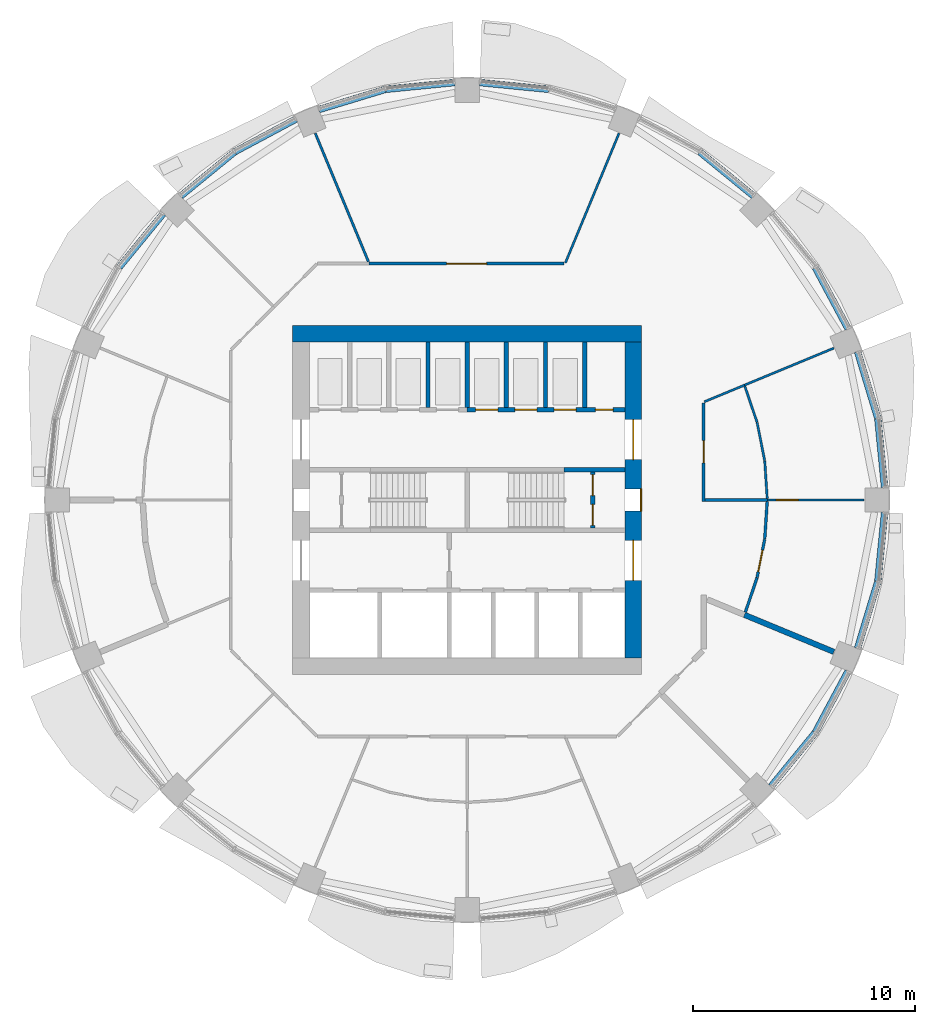
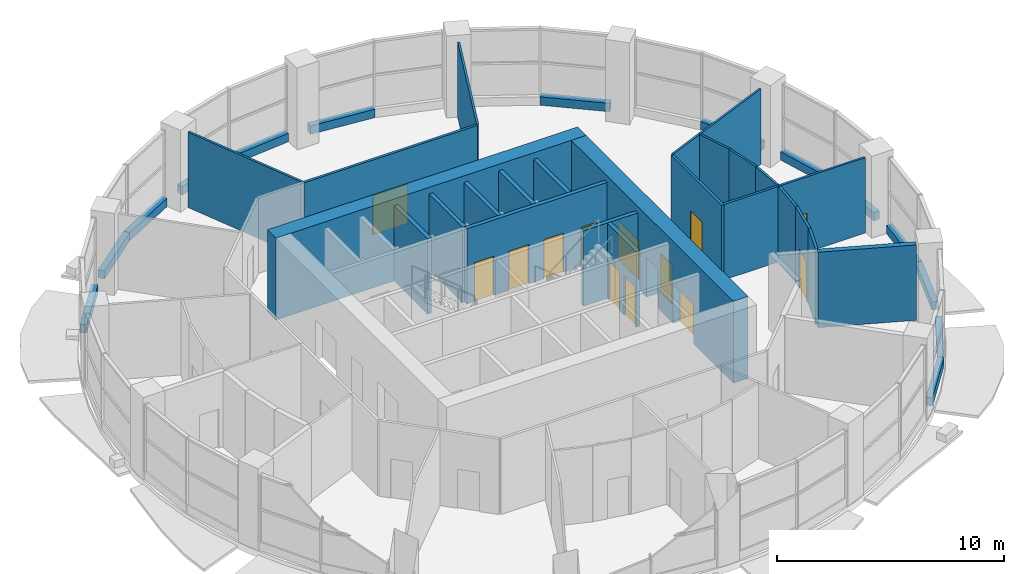
# One storey, part 8 of 13: 39 walls, 13 doors, 13 openings.
"""IFC4 building model written with IfcOpenShell, lengths in metres."""

from ifc_helpers import new_model, si_unit, direction, frame, frame_2d, origin, place, context, subcontext, project, spatial, rectangle, extrude, material, layer, layer_set, type_object, element, fill, save


model = new_model("IFC4")

# Units and contexts
model_context = context("Model", 3, precision=1e-05, world=origin(), true_north=direction((0.0, 1.0)))
body_context = subcontext(model_context, "Body", "Model", "MODEL_VIEW")
ifc_project = project(units=[si_unit("LENGTHUNIT", "METRE"), si_unit("AREAUNIT", "SQUARE_METRE"), si_unit("VOLUMEUNIT", "CUBIC_METRE"), si_unit("PLANEANGLEUNIT", "RADIAN"), si_unit("MASSUNIT", "GRAM", prefix="KILO")], contexts=[model_context])

# Site, building, storey
site_placement = place(None, origin())
site = spatial("IfcSite", under=ifc_project, at=site_placement, CompositionType="ELEMENT")
building_placement = place(site_placement, origin())
building = spatial("IfcBuilding", under=site, at=building_placement, Name="Polderwave Tower", CompositionType="ELEMENT")
storey_placement = place(building_placement, frame((0.0, 0.0, 116.550048828125)))
storey = spatial("IfcBuildingStorey", under=building, at=storey_placement, Name="L30", CompositionType="ELEMENT", Elevation=116.550048828125)

# Wall
ifc_material_1 = material(Name="Concrete C70/85", Category="concrete")
ifc_layer_1 = layer(ifc_material_1, 0.75)
ifc_layer_set_1 = layer_set([ifc_layer_1], Name="CORE WALL 750 C70/85")
wall_type_1 = type_object("IfcWallType", Name="CORE WALL 750 C70/85", PredefinedType="SHEAR", material=ifc_layer_set_1)
wall_1_placement = place(storey_placement, frame((-7.8740234375, 7.4990234375, 0.0), z_axis=(0.0, 0.0, 1.0), x_axis=(1.0, 0.0, 0.0)))
element("IfcWall", 1, at=wall_1_placement, inside=storey, type_object=wall_type_1, Name="ST-CORE-L30-N", PredefinedType="SHEAR", context=body_context, shape_type="SweptSolid", body=[
    extrude(rectangle(XDim=15.748046875, YDim=0.75, at=frame_2d((7.8740234375, 0.0))), origin(), (0.0, 0.0, 1.0), 4.39990234375),
])

# Wall, openings, doors
wall_2_placement = place(storey_placement, frame((7.4990234375, -7.1240234375, 0.0), z_axis=(0.0, 0.0, 1.0), x_axis=(0.0, 1.0, 0.0)))
wall_2 = element("IfcWall", 2, at=wall_2_placement, inside=storey, type_object=wall_type_1, Name="ST-CORE-L30-E", PredefinedType="SHEAR", context=body_context, shape_type="SweptSolid", body=[
    extrude(rectangle(XDim=14.248046875, YDim=0.75, at=frame_2d((7.1240234375, 0.0))), origin(), (0.0, 0.0, 1.0), 4.39990234375),
])
opening_1_placement = place(wall_2_placement, frame((6.6240234375, 0.0, 0.0)))
opening_1 = element("IfcOpeningElement", 3, at=opening_1_placement, cuts=wall_2, Name="Opening L30-D23", PredefinedType="OPENING", context=body_context, shape_type="SweptSolid", body=[
    extrude(rectangle(XDim=1.0, YDim=2.10009765625, at=frame_2d((0.5, 1.050048828125))), frame((0.0, 0.385009765625, 0.0), z_axis=(0.0, -1.0, 0.0), x_axis=(1.0, 0.0, 0.0)), (0.0, 0.0, 1.0), 0.77001953125),
])
opening_2_placement = place(wall_2_placement, frame((3.49951171875, 0.0, 0.0)))
opening_2 = element("IfcOpeningElement", 4, at=opening_2_placement, cuts=wall_2, Name="Opening L30-D24", PredefinedType="OPENING", context=body_context, shape_type="SweptSolid", body=[
    extrude(rectangle(XDim=1.800048828125, YDim=2.10009765625, at=frame_2d((0.89990234375, 1.050048828125))), frame((0.0, 0.385009765625, 0.0), z_axis=(0.0, -1.0, 0.0), x_axis=(1.0, 0.0, 0.0)), (0.0, 0.0, 1.0), 0.77001953125),
])
opening_3_placement = place(wall_2_placement, frame((8.948486328125, 0.0, 0.0)))
opening_3 = element("IfcOpeningElement", 5, at=opening_3_placement, cuts=wall_2, Name="Opening L30-D25", PredefinedType="OPENING", context=body_context, shape_type="SweptSolid", body=[
    extrude(rectangle(XDim=1.800048828125, YDim=2.10009765625, at=frame_2d((0.89990234375, 1.050048828125))), frame((0.0, 0.385009765625, 0.0), z_axis=(0.0, -1.0, 0.0), x_axis=(1.0, 0.0, 0.0)), (0.0, 0.0, 1.0), 0.77001953125),
])
ifc_material_2 = material(Name="Steel fire door", Category="steel")
door_type_1 = type_object("IfcDoorType", Name="Lobby entry door pair 1800", OperationType="DOUBLE_DOOR_SINGLE_SWING", PredefinedType="DOOR", material=ifc_material_2)
door_1_placement = place(opening_2_placement, frame((1.800048828125, 0.0, 0.0), z_axis=(0.0, 0.0, 1.0), x_axis=(-1.0, 0.0, 0.0)))
door_1 = element("IfcDoor", 6, at=door_1_placement, inside=storey, type_object=door_type_1, Name="South lobby entry door", OperationType="DOUBLE_DOOR_SINGLE_SWING", OverallHeight=2.10009765625, OverallWidth=1.800048828125, PredefinedType="DOOR", context=body_context, shape_type="SweptSolid", body=[
    extrude(rectangle(XDim=1.800048828125, YDim=2.10009765625, at=frame_2d((0.89990234375, 1.050048828125))), frame((0.0, 0.02490234375, 0.0), z_axis=(0.0, -1.0, 0.0), x_axis=(1.0, 0.0, 0.0)), (0.0, 0.0, 1.0), 0.050048828125),
])
fill(opening_2, door_1)
door_2_placement = place(opening_3_placement, frame((1.800048828125, 0.0, 0.0), z_axis=(0.0, 0.0, 1.0), x_axis=(-1.0, 0.0, 0.0)))
door_2 = element("IfcDoor", 7, at=door_2_placement, inside=storey, type_object=door_type_1, Name="North lobby entry door", OperationType="DOUBLE_DOOR_SINGLE_SWING", OverallHeight=2.10009765625, OverallWidth=1.800048828125, PredefinedType="DOOR", context=body_context, shape_type="SweptSolid", body=[
    extrude(rectangle(XDim=1.800048828125, YDim=2.10009765625, at=frame_2d((0.89990234375, 1.050048828125))), frame((0.0, 0.02490234375, 0.0), z_axis=(0.0, -1.0, 0.0), x_axis=(1.0, 0.0, 0.0)), (0.0, 0.0, 1.0), 0.050048828125),
])
fill(opening_3, door_2)
door_type_2 = type_object("IfcDoorType", Name="Stair door 1000", OperationType="NOTDEFINED", PredefinedType="DOOR", material=ifc_material_2)
door_3_placement = place(opening_1_placement, frame((1.0, 0.0, 0.0), z_axis=(0.0, 0.0, 1.0), x_axis=(-1.0, 0.0, 0.0)))
door_3 = element("IfcDoor", 8, at=door_3_placement, inside=storey, type_object=door_type_2, Name="Stair B entry door", OperationType="SINGLE_SWING_LEFT", OverallHeight=2.10009765625, OverallWidth=1.0, PredefinedType="DOOR", context=body_context, shape_type="SweptSolid", body=[
    extrude(rectangle(XDim=1.0, YDim=2.10009765625, at=frame_2d((0.5, 1.050048828125))), frame((0.0, 0.375, 0.0), z_axis=(0.0, -1.0, 0.0), x_axis=(1.0, 0.0, 0.0)), (0.0, 0.0, 1.0), 0.050048828125),
])
fill(opening_1, door_3)

# Walls
ifc_material_3 = material(Name="Concrete C50/60 (board-marked)", Category="concrete")
ifc_layer_2 = layer(ifc_material_3, 0.300048828125)
ifc_layer_set_2 = layer_set([ifc_layer_2], Name="Concrete spandrel upstand C50/60")
wall_type_2 = type_object("IfcWallType", Name="Concrete spandrel upstand C50/60", PredefinedType="SOLIDWALL", material=ifc_layer_set_2)
wall_3_placement = place(storey_placement, frame((18.844482421875, 0.56396484375, 0.0), z_axis=(0.0, 0.0, 1.0), x_axis=(-0.097947922522, 0.995191541601, 0.0)))
element("IfcWall", 9, at=wall_3_placement, inside=storey, type_object=wall_type_2, Name="Spandrel L30 1a", PredefinedType="SOLIDWALL", context=body_context, shape_type="SweptSolid", body=[
    extrude(rectangle(XDim=3.123291015625, YDim=0.300048828125, at=frame_2d((1.5615234375, 0.0))), origin(), (0.0, 0.0, 1.0), 0.449951171875),
])
wall_4_placement = place(storey_placement, frame((18.53271484375, 3.701416015625, 0.0), z_axis=(0.0, 0.0, 1.0), x_axis=(-0.290415156078, 0.956900745699, 0.0)))
element("IfcWall", 10, at=wall_4_placement, inside=storey, type_object=wall_type_2, Name="Spandrel L30 1b", PredefinedType="SOLIDWALL", context=body_context, shape_type="SweptSolid", body=[
    extrude(rectangle(XDim=3.123779296875, YDim=0.300048828125, at=frame_2d((1.56201171875, 0.0))), origin(), (0.0, 0.0, 1.0), 0.449951171875),
])
for number, where, z_axis, x_axis, name in (
    (11, (17.19384765625, 7.732177734375, 0.0), (0.0, 0.0, 1.0), (-0.471464266524, 0.881885165648, 0.0), "Spandrel L30 2a"),
    (12, (12.926513671875, 13.723388671875, 0.0), (0.0, 0.0, 1.0), (-0.773099904946, 0.634284271422, 0.0), "Spandrel L30 3a"),
):
    element("IfcWall", number, at=place(storey_placement, frame(where, z_axis=z_axis, x_axis=x_axis)), inside=storey, type_object=wall_type_2, Name=name, PredefinedType="SOLIDWALL", context=body_context, shape_type="SweptSolid", body=[
        extrude(rectangle(XDim=3.12353515625, YDim=0.300048828125, at=frame_2d((1.561767578125, 0.0))), origin(), (0.0, 0.0, 1.0), 0.449951171875),
    ])
for number, where, z_axis, x_axis, name in (
    (13, (3.672119140625, 18.53857421875, 0.0), (0.0, 0.0, 1.0), (-0.995191541601, 0.097947922522, 0.0), "Spandrel L30 4b"),
    (14, (-0.56396484375, 18.844482421875, 0.0), (0.0, 0.0, 1.0), (-0.995191541601, -0.097947922522, 0.0), "Spandrel L30 5a"),
):
    element("IfcWall", number, at=place(storey_placement, frame(where, z_axis=z_axis, x_axis=x_axis)), inside=storey, type_object=wall_type_2, Name=name, PredefinedType="SOLIDWALL", context=body_context, shape_type="SweptSolid", body=[
        extrude(rectangle(XDim=3.123291015625, YDim=0.300048828125, at=frame_2d((1.5615234375, 0.0))), origin(), (0.0, 0.0, 1.0), 0.449951171875),
    ])
wall_5_placement = place(storey_placement, frame((-3.701416015625, 18.53271484375, 0.0), z_axis=(0.0, 0.0, 1.0), x_axis=(-0.956900745699, -0.290415156078, 0.0)))
element("IfcWall", 15, at=wall_5_placement, inside=storey, type_object=wall_type_2, Name="Spandrel L30 5b", PredefinedType="SOLIDWALL", context=body_context, shape_type="SweptSolid", body=[
    extrude(rectangle(XDim=3.123779296875, YDim=0.300048828125, at=frame_2d((1.56201171875, 0.0))), origin(), (0.0, 0.0, 1.0), 0.449951171875),
])
for number, where, z_axis, x_axis, name in (
    (16, (-7.732177734375, 17.19384765625, 0.0), (0.0, 0.0, 1.0), (-0.881885165648, -0.471464266524, 0.0), "Spandrel L30 6a"),
    (17, (-10.51171875, 15.70458984375, 0.0), (0.0, 0.0, 1.0), (-0.773099904946, -0.634284271422, 0.0), "Spandrel L30 6b"),
    (18, (-13.723388671875, 12.926513671875, 0.0), (0.0, 0.0, 1.0), (-0.634284271422, -0.773099904946, 0.0), "Spandrel L30 7a"),
    (19, (13.723388671875, -12.926513671875, 0.0), (0.0, 0.0, 1.0), (0.634284271422, 0.773099904946, 0.0), "Spandrel L30 15a"),
    (20, (15.72119140625, -10.48681640625, 0.0), (0.0, 0.0, 1.0), (0.471464266524, 0.881885165648, 0.0), "Spandrel L30 15b"),
):
    element("IfcWall", number, at=place(storey_placement, frame(where, z_axis=z_axis, x_axis=x_axis)), inside=storey, type_object=wall_type_2, Name=name, PredefinedType="SOLIDWALL", context=body_context, shape_type="SweptSolid", body=[
        extrude(rectangle(XDim=3.12353515625, YDim=0.300048828125, at=frame_2d((1.561767578125, 0.0))), origin(), (0.0, 0.0, 1.0), 0.449951171875),
    ])
wall_6_placement = place(storey_placement, frame((17.62548828125, -6.690673828125, 0.0), z_axis=(0.0, 0.0, 1.0), x_axis=(0.290415156078, 0.956900745699, 0.0)))
element("IfcWall", 21, at=wall_6_placement, inside=storey, type_object=wall_type_2, Name="Spandrel L30 16a", PredefinedType="SOLIDWALL", context=body_context, shape_type="SweptSolid", body=[
    extrude(rectangle(XDim=3.123779296875, YDim=0.300048828125, at=frame_2d((1.56201171875, 0.0))), origin(), (0.0, 0.0, 1.0), 0.449951171875),
])
wall_7_placement = place(storey_placement, frame((18.53857421875, -3.672119140625, 0.0), z_axis=(0.0, 0.0, 1.0), x_axis=(0.097947922522, 0.995191541601, 0.0)))
element("IfcWall", 22, at=wall_7_placement, inside=storey, type_object=wall_type_2, Name="Spandrel L30 16b", PredefinedType="SOLIDWALL", context=body_context, shape_type="SweptSolid", body=[
    extrude(rectangle(XDim=3.123291015625, YDim=0.300048828125, at=frame_2d((1.5615234375, 0.0))), origin(), (0.0, 0.0, 1.0), 0.449951171875),
])

# Wall, openings, doors
ifc_material_4 = material(Name="Gypsum board partition")
ifc_layer_3 = layer(ifc_material_4, 0.199951171875)
ifc_layer_set_3 = layer_set([ifc_layer_3], Name="Core room partition 200")
wall_type_3 = type_object("IfcWallType", Name="Core room partition 200", PredefinedType="PARTITIONING", material=ifc_layer_set_3)
wall_8_placement = place(storey_placement, frame((5.674072265625, -1.27490234375, 0.0), z_axis=(0.0, 0.0, 1.0), x_axis=(0.0, 1.0, 0.0)))
wall_8 = element("IfcWall", 23, at=wall_8_placement, inside=storey, type_object=wall_type_3, Name="L30 smoke lobby wall B", PredefinedType="PARTITIONING", context=body_context, shape_type="SweptSolid", body=[
    extrude(rectangle(XDim=2.5498046875, YDim=0.199951171875, at=frame_2d((1.27490234375, 0.0))), origin(), (0.0, 0.0, 1.0), 4.050048828125),
])
opening_4_placement = place(wall_8_placement, frame((0.125, 0.0, 0.0)))
opening_4 = element("IfcOpeningElement", 24, at=opening_4_placement, cuts=wall_8, Name="Opening L30-D16", PredefinedType="OPENING", context=body_context, shape_type="SweptSolid", body=[
    extrude(rectangle(XDim=0.949951171875, YDim=2.10009765625, at=frame_2d((0.47509765625, 1.050048828125))), frame((0.0, 0.10986328125, 0.0), z_axis=(0.0, -1.0, 0.0), x_axis=(1.0, 0.0, 0.0)), (0.0, 0.0, 1.0), 0.219970703125),
])
opening_5_placement = place(wall_8_placement, frame((1.47509765625, 0.0, 0.0)))
opening_5 = element("IfcOpeningElement", 25, at=opening_5_placement, cuts=wall_8, Name="Opening L30-D17", PredefinedType="OPENING", context=body_context, shape_type="SweptSolid", body=[
    extrude(rectangle(XDim=0.949951171875, YDim=2.10009765625, at=frame_2d((0.47509765625, 1.050048828125))), frame((0.0, 0.10986328125, 0.0), z_axis=(0.0, -1.0, 0.0), x_axis=(1.0, 0.0, 0.0)), (0.0, 0.0, 1.0), 0.219970703125),
])
door_type_3 = type_object("IfcDoorType", Name="Smoke lobby door 950", OperationType="NOTDEFINED", PredefinedType="DOOR", material=ifc_material_2)
door_4_placement = place(opening_4_placement, frame((0.949951171875, 0.0, 0.0), z_axis=(0.0, 0.0, 1.0), x_axis=(-1.0, 0.0, 0.0)))
door_4 = element("IfcDoor", 26, at=door_4_placement, inside=storey, type_object=door_type_3, Name="Stair B smoke lobby inner door", OperationType="SINGLE_SWING_RIGHT", OverallHeight=2.10009765625, OverallWidth=0.949951171875, PredefinedType="DOOR", context=body_context, shape_type="SweptSolid", body=[
    extrude(rectangle(XDim=0.949951171875, YDim=2.10009765625, at=frame_2d((0.47509765625, 1.050048828125))), frame((0.0, 0.02490234375, 0.0), z_axis=(0.0, -1.0, 0.0), x_axis=(1.0, 0.0, 0.0)), (0.0, 0.0, 1.0), 0.050048828125),
])
fill(opening_4, door_4)
door_5_placement = place(opening_5_placement, frame((0.949951171875, 0.0, 0.0), z_axis=(0.0, 0.0, 1.0), x_axis=(-1.0, 0.0, 0.0)))
door_5 = element("IfcDoor", 27, at=door_5_placement, inside=storey, type_object=door_type_3, Name="Stair B smoke lobby inner door", OperationType="SINGLE_SWING_LEFT", OverallHeight=2.10009765625, OverallWidth=0.949951171875, PredefinedType="DOOR", context=body_context, shape_type="SweptSolid", body=[
    extrude(rectangle(XDim=0.949951171875, YDim=2.10009765625, at=frame_2d((0.47509765625, 1.050048828125))), frame((0.0, 0.02490234375, 0.0), z_axis=(0.0, -1.0, 0.0), x_axis=(1.0, 0.0, 0.0)), (0.0, 0.0, 1.0), 0.050048828125),
])
fill(opening_5, door_5)

ifc_material_5 = material(Name="Concrete C50/60", Category="concrete")
ifc_layer_4 = layer(ifc_material_5, 0.199951171875)
ifc_layer_set_4 = layer_set([ifc_layer_4], Name="Core web wall 200")
wall_type_4 = type_object("IfcWallType", Name="Core web wall 200", PredefinedType="SHEAR", material=ifc_layer_set_4)
wall_9_placement = place(storey_placement, frame((0.0, 4.073974609375, 0.0), z_axis=(0.0, 0.0, 1.0), x_axis=(1.0, 0.0, 0.0)))
wall_9 = element("IfcWall", 28, at=wall_9_placement, inside=storey, type_object=wall_type_4, Name="L30 north front wall 2", PredefinedType="SHEAR", context=body_context, shape_type="SweptSolid", body=[
    extrude(rectangle(XDim=7.1240234375, YDim=0.199951171875, at=frame_2d((3.56201171875, 0.0))), origin(), (0.0, 0.0, 1.0), 4.050048828125),
])
opening_6_placement = place(wall_9_placement, frame((0.38427734375, 0.0, 0.0)))
opening_6 = element("IfcOpeningElement", 29, at=opening_6_placement, cuts=wall_9, Name="Opening L30-D11", PredefinedType="OPENING", context=body_context, shape_type="SweptSolid", body=[
    extrude(rectangle(XDim=1.0, YDim=2.10009765625, at=frame_2d((0.5, 1.050048828125))), frame((0.0, 0.10986328125, 0.0), z_axis=(0.0, -1.0, 0.0), x_axis=(1.0, 0.0, 0.0)), (0.0, 0.0, 1.0), 0.219970703125),
])
opening_7_placement = place(wall_9_placement, frame((2.15283203125, 0.0, 0.0)))
opening_7 = element("IfcOpeningElement", 30, at=opening_7_placement, cuts=wall_9, Name="Opening L30-D12", PredefinedType="OPENING", context=body_context, shape_type="SweptSolid", body=[
    extrude(rectangle(XDim=1.0, YDim=2.10009765625, at=frame_2d((0.5, 1.050048828125))), frame((0.0, 0.10986328125, 0.0), z_axis=(0.0, -1.0, 0.0), x_axis=(1.0, 0.0, 0.0)), (0.0, 0.0, 1.0), 0.219970703125),
])
opening_8_placement = place(wall_9_placement, frame((3.921142578125, 0.0, 0.0)))
opening_8 = element("IfcOpeningElement", 31, at=opening_8_placement, cuts=wall_9, Name="Opening L30-D13", PredefinedType="OPENING", context=body_context, shape_type="SweptSolid", body=[
    extrude(rectangle(XDim=1.0, YDim=2.10009765625, at=frame_2d((0.5, 1.050048828125))), frame((0.0, 0.10986328125, 0.0), z_axis=(0.0, -1.0, 0.0), x_axis=(1.0, 0.0, 0.0)), (0.0, 0.0, 1.0), 0.219970703125),
])
opening_9_placement = place(wall_9_placement, frame((5.789794921875, 0.0, 0.0)))
opening_9 = element("IfcOpeningElement", 32, at=opening_9_placement, cuts=wall_9, Name="Opening L30-D19", PredefinedType="OPENING", context=body_context, shape_type="SweptSolid", body=[
    extrude(rectangle(XDim=0.800048828125, YDim=2.10009765625, at=frame_2d((0.39990234375, 1.050048828125))), frame((0.0, 0.10986328125, 0.0), z_axis=(0.0, -1.0, 0.0), x_axis=(1.0, 0.0, 0.0)), (0.0, 0.0, 1.0), 0.219970703125),
])
ifc_material_6 = material(Name="Stainless steel", Category="steel")
door_type_4 = type_object("IfcDoorType", Name="Lift landing door 1000", OperationType="DOUBLE_DOOR_SLIDING", PredefinedType="DOOR", material=ifc_material_6)
door_6_placement = place(opening_6_placement, frame((1.0, 0.0, 0.0), z_axis=(0.0, 0.0, 1.0), x_axis=(-1.0, 0.0, 0.0)))
door_6 = element("IfcDoor", 33, at=door_6_placement, inside=storey, type_object=door_type_4, Name="Lift HL5 landing door", OperationType="DOUBLE_DOOR_SLIDING", OverallHeight=2.10009765625, OverallWidth=1.0, PredefinedType="DOOR", context=body_context, shape_type="SweptSolid", body=[
    extrude(rectangle(XDim=1.0, YDim=2.10009765625, at=frame_2d((0.5, 1.050048828125))), frame((0.0, 0.02490234375, 0.0), z_axis=(0.0, -1.0, 0.0), x_axis=(1.0, 0.0, 0.0)), (0.0, 0.0, 1.0), 0.050048828125),
])
fill(opening_6, door_6)
door_7_placement = place(opening_7_placement, frame((1.0, 0.0, 0.0), z_axis=(0.0, 0.0, 1.0), x_axis=(-1.0, 0.0, 0.0)))
door_7 = element("IfcDoor", 34, at=door_7_placement, inside=storey, type_object=door_type_4, Name="Lift HL6 landing door", OperationType="DOUBLE_DOOR_SLIDING", OverallHeight=2.10009765625, OverallWidth=1.0, PredefinedType="DOOR", context=body_context, shape_type="SweptSolid", body=[
    extrude(rectangle(XDim=1.0, YDim=2.10009765625, at=frame_2d((0.5, 1.050048828125))), frame((0.0, 0.02490234375, 0.0), z_axis=(0.0, -1.0, 0.0), x_axis=(1.0, 0.0, 0.0)), (0.0, 0.0, 1.0), 0.050048828125),
])
fill(opening_7, door_7)
door_8_placement = place(opening_8_placement, frame((1.0, 0.0, 0.0), z_axis=(0.0, 0.0, 1.0), x_axis=(-1.0, 0.0, 0.0)))
door_8 = element("IfcDoor", 35, at=door_8_placement, inside=storey, type_object=door_type_4, Name="Lift HL7 landing door", OperationType="DOUBLE_DOOR_SLIDING", OverallHeight=2.10009765625, OverallWidth=1.0, PredefinedType="DOOR", context=body_context, shape_type="SweptSolid", body=[
    extrude(rectangle(XDim=1.0, YDim=2.10009765625, at=frame_2d((0.5, 1.050048828125))), frame((0.0, 0.02490234375, 0.0), z_axis=(0.0, -1.0, 0.0), x_axis=(1.0, 0.0, 0.0)), (0.0, 0.0, 1.0), 0.050048828125),
])
fill(opening_8, door_8)
door_type_5 = type_object("IfcDoorType", Name="Riser door 800", OperationType="NOTDEFINED", PredefinedType="DOOR", material=ifc_material_2)
door_9_placement = place(opening_9_placement, frame((0.800048828125, 0.0, 0.0), z_axis=(0.0, 0.0, 1.0), x_axis=(-1.0, 0.0, 0.0)))
door_9 = element("IfcDoor", 36, at=door_9_placement, inside=storey, type_object=door_type_5, Name="Riser door", OperationType="SINGLE_SWING_LEFT", OverallHeight=2.10009765625, OverallWidth=0.800048828125, PredefinedType="DOOR", context=body_context, shape_type="SweptSolid", body=[
    extrude(rectangle(XDim=0.800048828125, YDim=2.10009765625, at=frame_2d((0.39990234375, 1.050048828125))), frame((0.0, 0.02490234375, 0.0), z_axis=(0.0, -1.0, 0.0), x_axis=(1.0, 0.0, 0.0)), (0.0, 0.0, 1.0), 0.050048828125),
])
fill(opening_9, door_9)

# Wall
wall_10_placement = place(storey_placement, frame((4.3740234375, 1.375, 0.0), z_axis=(0.0, 0.0, 1.0), x_axis=(1.0, 0.0, 0.0)))
element("IfcWall", 37, at=wall_10_placement, inside=storey, type_object=wall_type_4, Name="L30 north stair wall 4", PredefinedType="SHEAR", context=body_context, shape_type="SweptSolid", body=[
    extrude(rectangle(XDim=2.75, YDim=0.199951171875, at=frame_2d((1.375, 0.0))), origin(), (0.0, 0.0, 1.0), 4.050048828125),
])

# Wall, opening, door
ifc_material_7 = material(Name="Fire-resisting board on steel studs", Category="steel")
ifc_layer_5 = layer(ifc_material_7, 0.125)
ifc_layer_set_5 = layer_set([ifc_layer_5], Name="Corridor wall 125 mm EI 60")
wall_type_5 = type_object("IfcWallType", Name="Corridor wall 125 mm EI 60", PredefinedType="PARTITIONING", material=ifc_layer_set_5)
wall_11_placement = place(storey_placement, frame((10.674072265625, 4.37939453125, 0.0), z_axis=(0.0, 0.0, 1.0), x_axis=(0.0, -1.0, 0.0)))
wall_11 = element("IfcWall", 38, at=wall_11_placement, inside=storey, type_object=wall_type_5, Name="IN-L30-W001", PredefinedType="PARTITIONING", context=body_context, shape_type="SweptSolid", body=[
    extrude(rectangle(XDim=4.44189453125, YDim=0.125, at=frame_2d((2.220947265625, 0.0))), origin(), (0.0, 0.0, 1.0), 4.050048828125),
])
opening_10_placement = place(wall_11_placement, frame((1.699951171875, 0.0, 0.0)))
opening_10 = element("IfcOpeningElement", 39, at=opening_10_placement, cuts=wall_11, Name="Opening L30-D50", PredefinedType="OPENING", context=body_context, shape_type="SweptSolid", body=[
    extrude(rectangle(XDim=1.0, YDim=2.10009765625, at=frame_2d((0.5, 1.050048828125))), frame((0.0, 0.072509765625, 0.0), z_axis=(0.0, -1.0, 0.0), x_axis=(1.0, 0.0, 0.0)), (0.0, 0.0, 1.0), 0.14501953125),
])
ifc_material_8 = material(Name="Timber fire door leaf", Category="wood")
door_type_6 = type_object("IfcDoorType", Name="Fire door FD30S 1000 x 2100", OperationType="NOTDEFINED", PredefinedType="DOOR", material=ifc_material_8)
door_10_placement = place(opening_10_placement, origin())
door_10 = element("IfcDoor", 40, at=door_10_placement, inside=storey, type_object=door_type_6, Name="Door L30-D50", OperationType="SINGLE_SWING_LEFT", OverallHeight=2.10009765625, OverallWidth=1.0, PredefinedType="DOOR", context=body_context, shape_type="SweptSolid", body=[
    extrude(rectangle(XDim=1.0, YDim=2.10009765625, at=frame_2d((0.5, 1.050048828125))), frame((0.0, 0.02490234375, 0.0), z_axis=(0.0, -1.0, 0.0), x_axis=(1.0, 0.0, 0.0)), (0.0, 0.0, 1.0), 0.050048828125),
])
fill(opening_10, door_10)

wall_12_placement = place(storey_placement, frame((-4.42138671875, 10.674072265625, 0.0), z_axis=(0.0, 0.0, 1.0), x_axis=(1.0, 0.0, 0.0)))
wall_12 = element("IfcWall", 41, at=wall_12_placement, inside=storey, type_object=wall_type_5, Name="IN-L30-W004", PredefinedType="PARTITIONING", context=body_context, shape_type="SweptSolid", body=[
    extrude(rectangle(XDim=8.80078125, YDim=0.125, at=frame_2d((4.400390625, 0.0))), origin(), (0.0, 0.0, 1.0), 4.050048828125),
])
opening_11_placement = place(wall_12_placement, frame((3.5, 0.0, 0.0)))
opening_11 = element("IfcOpeningElement", 42, at=opening_11_placement, cuts=wall_12, Name="Opening L30-D52", PredefinedType="OPENING", context=body_context, shape_type="SweptSolid", body=[
    extrude(rectangle(XDim=1.800048828125, YDim=2.10009765625, at=frame_2d((0.89990234375, 1.050048828125))), frame((0.0, 0.072509765625, 0.0), z_axis=(0.0, -1.0, 0.0), x_axis=(1.0, 0.0, 0.0)), (0.0, 0.0, 1.0), 0.14501953125),
])
ifc_material_9 = material(Name="Timber fire door leaves", Category="wood")
door_type_7 = type_object("IfcDoorType", Name="Double fire door FD30S 1800 x 2100", OperationType="NOTDEFINED", PredefinedType="DOOR", material=ifc_material_9)
door_11_placement = place(opening_11_placement, origin())
door_11 = element("IfcDoor", 43, at=door_11_placement, inside=storey, type_object=door_type_7, Name="Door L30-D52", OperationType="DOUBLE_DOOR_SINGLE_SWING", OverallHeight=2.10009765625, OverallWidth=1.800048828125, PredefinedType="DOOR", context=body_context, shape_type="SweptSolid", body=[
    extrude(rectangle(XDim=1.800048828125, YDim=2.10009765625, at=frame_2d((0.89990234375, 1.050048828125))), frame((0.0, 0.02490234375, 0.0), z_axis=(0.0, -1.0, 0.0), x_axis=(1.0, 0.0, 0.0)), (0.0, 0.0, 1.0), 0.050048828125),
])
fill(opening_11, door_11)

# Walls
wall_13_placement = place(storey_placement, frame((13.550048828125, 0.0, 0.0), z_axis=(0.0, 0.0, 1.0), x_axis=(-1.0, 0.0, 0.0)))
element("IfcWall", 44, at=wall_13_placement, inside=storey, type_object=wall_type_5, Name="IN-L30-W023", PredefinedType="PARTITIONING", context=body_context, shape_type="SweptSolid", body=[
    extrude(rectangle(XDim=2.8134765625, YDim=0.125, at=frame_2d((1.40673828125, 0.0))), origin(), (0.0, 0.0, 1.0), 4.050048828125),
])
wall_14_placement = place(storey_placement, frame((13.0869140625, -3.510986328125, 0.0), z_axis=(0.0, 0.0, 1.0), x_axis=(-0.32131781405, -0.946971415817, 0.0)))
element("IfcWall", 45, at=wall_14_placement, inside=storey, type_object=wall_type_5, Name="IN-L30-W057", PredefinedType="PARTITIONING", context=body_context, shape_type="SweptSolid", body=[
    extrude(rectangle(XDim=1.638916015625, YDim=0.125, at=frame_2d((0.8193359375, 0.0))), origin(), (0.0, 0.0, 1.0), 4.050048828125),
])

# Wall, opening, door
wall_15_placement = place(storey_placement, frame((13.433349609375, -1.772705078125, 0.0), z_axis=(0.0, 0.0, 1.0), x_axis=(-0.195131330955, -0.980777122327, 0.0)))
wall_15 = element("IfcWall", 46, at=wall_15_placement, inside=storey, type_object=wall_type_5, Name="IN-L30-W058", PredefinedType="PARTITIONING", context=body_context, shape_type="SweptSolid", body=[
    extrude(rectangle(XDim=1.76416015625, YDim=0.125, at=frame_2d((0.882080078125, 0.0))), origin(), (0.0, 0.0, 1.0), 4.050048828125),
])
opening_12_placement = place(wall_15_placement, frame((0.5, 0.0, 0.0)))
opening_12 = element("IfcOpeningElement", 47, at=opening_12_placement, cuts=wall_15, Name="Opening L30-D67", PredefinedType="OPENING", context=body_context, shape_type="SweptSolid", body=[
    extrude(rectangle(XDim=1.0, YDim=2.10009765625, at=frame_2d((0.5, 1.050048828125))), frame((0.0, 0.072509765625, 0.0), z_axis=(0.0, -1.0, 0.0), x_axis=(1.0, 0.0, 0.0)), (0.0, 0.0, 1.0), 0.14501953125),
])
door_12_placement = place(opening_12_placement, origin())
door_12 = element("IfcDoor", 48, at=door_12_placement, inside=storey, type_object=door_type_6, Name="Door L30-D67", OperationType="SINGLE_SWING_RIGHT", OverallHeight=2.10009765625, OverallWidth=1.0, PredefinedType="DOOR", context=body_context, shape_type="SweptSolid", body=[
    extrude(rectangle(XDim=1.0, YDim=2.10009765625, at=frame_2d((0.5, 1.050048828125))), frame((0.0, 0.02490234375, 0.0), z_axis=(0.0, -1.0, 0.0), x_axis=(1.0, 0.0, 0.0)), (0.0, 0.0, 1.0), 0.050048828125),
])
fill(opening_12, door_12)

# Walls
wall_16_placement = place(storey_placement, frame((13.545654296875, -0.066650390625, 0.0), z_axis=(0.0, 0.0, 1.0), x_axis=(-0.065433242561, -0.99785694905, 0.0)))
element("IfcWall", 49, at=wall_16_placement, inside=storey, type_object=wall_type_5, Name="IN-L30-W059", PredefinedType="PARTITIONING", context=body_context, shape_type="SweptSolid", body=[
    extrude(rectangle(XDim=1.701416015625, YDim=0.125, at=frame_2d((0.8505859375, 0.0))), origin(), (0.0, 0.0, 1.0), 4.050048828125),
])
ifc_material_10 = material(Name="Plasterboard on steel studs", Category="steel")
ifc_layer_6 = layer(ifc_material_10, 0.10009765625)
ifc_layer_set_6 = layer_set([ifc_layer_6], Name="Partition 100 mm plasterboard on steel studs")
wall_type_6 = type_object("IfcWallType", Name="Partition 100 mm plasterboard on steel studs", PredefinedType="PARTITIONING", material=ifc_layer_set_6)
wall_17_placement = place(storey_placement, frame((10.704833984375, 4.43408203125, 0.0), z_axis=(0.0, 0.0, 1.0), x_axis=(0.923887998679, 0.382662992588, 0.0)))
element("IfcWall", 50, at=wall_17_placement, inside=storey, type_object=wall_type_6, Name="IN-L30-W022", PredefinedType="PARTITIONING", context=body_context, shape_type="SweptSolid", body=[
    extrude(rectangle(XDim=1.963134765625, YDim=0.10009765625, at=frame_2d((0.9814453125, 0.0))), origin(), (0.0, 0.0, 1.0), 4.050048828125),
])
wall_18_placement = place(storey_placement, frame((12.5185546875, 5.185302734375, 0.0), z_axis=(0.0, 0.0, 1.0), x_axis=(0.923876563374, 0.382690600418, 0.0)))
element("IfcWall", 51, at=wall_18_placement, inside=storey, type_object=wall_type_6, Name="IN-L30-W024", PredefinedType="PARTITIONING", context=body_context, shape_type="SweptSolid", body=[
    extrude(rectangle(XDim=4.3701171875, YDim=0.10009765625, at=frame_2d((2.18505859375, 0.0))), origin(), (0.0, 0.0, 1.0), 4.050048828125),
])
wall_19_placement = place(storey_placement, frame((4.43408203125, 10.704833984375, 0.0), z_axis=(0.0, 0.0, 1.0), x_axis=(0.38268204263, 0.923880108157, 0.0)))
element("IfcWall", 52, at=wall_19_placement, inside=storey, type_object=wall_type_6, Name="IN-L30-W026", PredefinedType="PARTITIONING", context=body_context, shape_type="SweptSolid", body=[
    extrude(rectangle(XDim=6.333251953125, YDim=0.10009765625, at=frame_2d((3.16650390625, 0.0))), origin(), (0.0, 0.0, 1.0), 4.050048828125),
])
ifc_material_11 = material(Name="Moisture-resistant board on steel studs, tiled", Category="steel")
ifc_layer_7 = layer(ifc_material_11, 0.10498046875)
ifc_layer_set_7 = layer_set([ifc_layer_7], Name="Partition 105 mm wet room board and tile")
wall_type_7 = type_object("IfcWallType", Name="Partition 105 mm wet room board and tile", PredefinedType="PARTITIONING", material=ifc_layer_set_7)
wall_20_placement = place(storey_placement, frame((12.535888671875, 5.134765625, 0.0), z_axis=(0.0, 0.0, 1.0), x_axis=(0.321346482032, -0.946961687971, 0.0)))
element("IfcWall", 53, at=wall_20_placement, inside=storey, type_object=wall_type_7, Name="IN-L30-W019", PredefinedType="PARTITIONING", context=body_context, shape_type="SweptSolid", body=[
    extrude(rectangle(XDim=1.715576171875, YDim=0.10498046875, at=frame_2d((0.85791015625, 0.0))), origin(), (0.0, 0.0, 1.0), 4.050048828125),
])
wall_21_placement = place(storey_placement, frame((13.089111328125, 3.503662109375, 0.0), z_axis=(0.0, 0.0, 1.0), x_axis=(0.194972545789, -0.9808087002, 0.0)))
element("IfcWall", 54, at=wall_21_placement, inside=storey, type_object=wall_type_7, Name="IN-L30-W020", PredefinedType="PARTITIONING", context=body_context, shape_type="SweptSolid", body=[
    extrude(rectangle(XDim=1.765625, YDim=0.10498046875, at=frame_2d((0.8828125, 0.0))), origin(), (0.0, 0.0, 1.0), 4.050048828125),
])
wall_22_placement = place(storey_placement, frame((13.434326171875, 1.76513671875, 0.0), z_axis=(0.0, 0.0, 1.0), x_axis=(0.065377075793, -0.997860630529, 0.0)))
element("IfcWall", 55, at=wall_22_placement, inside=storey, type_object=wall_type_7, Name="IN-L30-W021", PredefinedType="PARTITIONING", context=body_context, shape_type="SweptSolid", body=[
    extrude(rectangle(XDim=1.702880859375, YDim=0.10498046875, at=frame_2d((0.8515625, 0.0))), origin(), (0.0, 0.0, 1.0), 4.050048828125),
])

# Wall, opening, door
wall_23_placement = place(storey_placement, frame((13.550048828125, 0.0, 0.0), z_axis=(0.0, 0.0, 1.0), x_axis=(1.0, 0.0, 0.0)))
wall_23 = element("IfcWall", 56, at=wall_23_placement, inside=storey, type_object=wall_type_7, Name="IN-L30-W025", PredefinedType="PARTITIONING", context=body_context, shape_type="SweptSolid", body=[
    extrude(rectangle(XDim=4.369873046875, YDim=0.10498046875, at=frame_2d((2.18505859375, 0.0))), origin(), (0.0, 0.0, 1.0), 4.050048828125),
])
opening_13_placement = place(wall_23_placement, frame((0.39990234375, 0.0, 0.0)))
opening_13 = element("IfcOpeningElement", 57, at=opening_13_placement, cuts=wall_23, Name="Opening L30-D62", PredefinedType="OPENING", context=body_context, shape_type="SweptSolid", body=[
    extrude(rectangle(XDim=1.0, YDim=2.10009765625, at=frame_2d((0.5, 1.050048828125))), frame((0.0, 0.0625, 0.0), z_axis=(0.0, -1.0, 0.0), x_axis=(1.0, 0.0, 0.0)), (0.0, 0.0, 1.0), 0.125),
])
ifc_material_12 = material(Name="Timber veneer door leaf", Category="wood")
door_type_8 = type_object("IfcDoorType", Name="Single door 1000 x 2100", OperationType="NOTDEFINED", PredefinedType="DOOR", material=ifc_material_12)
door_13_placement = place(opening_13_placement, origin())
door_13 = element("IfcDoor", 58, at=door_13_placement, inside=storey, type_object=door_type_8, Name="Door L30-D62", OperationType="SINGLE_SWING_LEFT", OverallHeight=2.10009765625, OverallWidth=1.0, PredefinedType="DOOR", context=body_context, shape_type="SweptSolid", body=[
    extrude(rectangle(XDim=1.0, YDim=2.10009765625, at=frame_2d((0.5, 1.050048828125))), frame((0.0, 0.02490234375, 0.0), z_axis=(0.0, -1.0, 0.0), x_axis=(1.0, 0.0, 0.0)), (0.0, 0.0, 1.0), 0.050048828125),
])
fill(opening_13, door_13)

# Walls
ifc_material_13 = material(Name="Acoustic double plasterboard on steel studs", Category="steel")
ifc_layer_8 = layer(ifc_material_13, 0.110107421875)
ifc_layer_set_8 = layer_set([ifc_layer_8], Name="Partition 110 mm acoustic double board")
wall_type_8 = type_object("IfcWallType", Name="Partition 110 mm acoustic double board", PredefinedType="PARTITIONING", material=ifc_layer_set_8)
wall_24_placement = place(storey_placement, frame((-4.455810546875, 10.757568359375, 0.0), z_axis=(0.0, 0.0, 1.0), x_axis=(-0.382697639749, 0.923873647492, 0.0)))
element("IfcWall", 59, at=wall_24_placement, inside=storey, type_object=wall_type_8, Name="IN-L30-W027", PredefinedType="PARTITIONING", context=body_context, shape_type="SweptSolid", body=[
    extrude(rectangle(XDim=6.276123046875, YDim=0.110107421875, at=frame_2d((3.13818359375, 0.0))), origin(), (0.0, 0.0, 1.0), 4.050048828125),
])
ifc_material_14 = material(Name="Fire-resisting board on steel studs, mineral wool", Category="steel")
ifc_layer_9 = layer(ifc_material_14, 0.25)
ifc_layer_set_9 = layer_set([ifc_layer_9], Name="Plant room wall 250 mm EI 120")
wall_type_9 = type_object("IfcWallType", Name="Plant room wall 250 mm EI 120", PredefinedType="PARTITIONING", material=ifc_layer_set_9)
wall_25_placement = place(storey_placement, frame((12.5185546875, -5.185302734375, 0.0), z_axis=(0.0, 0.0, 1.0), x_axis=(0.923876563374, -0.382690600418, 0.0)))
element("IfcWall", 60, at=wall_25_placement, inside=storey, type_object=wall_type_9, Name="IN-L30-W056", PredefinedType="PARTITIONING", context=body_context, shape_type="SweptSolid", body=[
    extrude(rectangle(XDim=4.3701171875, YDim=0.25, at=frame_2d((2.18505859375, 0.0))), origin(), (0.0, 0.0, 1.0), 4.050048828125),
])
ifc_material_15 = material(Name="Gypsum shaft wall system")
ifc_layer_10 = layer(ifc_material_15, 0.199951171875)
ifc_layer_set_10 = layer_set([ifc_layer_10], Name="Shaft wall 200")
wall_type_10 = type_object("IfcWallType", Name="Shaft wall 200", PredefinedType="PARTITIONING", material=ifc_layer_set_10)
for number, where, z_axis, x_axis, name in (
    (61, (-1.7685546875, 4.174072265625, 0.0), (0.0, 0.0, 1.0), (0.0, 1.0, 0.0), "L30 lift shaft wall N3"),
    (62, (0.0, 4.174072265625, 0.0), (0.0, 0.0, 1.0), (0.0, 1.0, 0.0), "L30 lift shaft wall N4"),
    (63, (1.7685546875, 4.174072265625, 0.0), (0.0, 0.0, 1.0), (0.0, 1.0, 0.0), "L30 lift shaft wall N5"),
    (64, (3.537109375, 4.174072265625, 0.0), (0.0, 0.0, 1.0), (0.0, 1.0, 0.0), "L30 lift shaft wall N6"),
    (65, (5.305419921875, 4.174072265625, 0.0), (0.0, 0.0, 1.0), (0.0, 1.0, 0.0), "L30 lift shaft wall N7"),
):
    element("IfcWall", number, at=place(storey_placement, frame(where, z_axis=z_axis, x_axis=x_axis)), inside=storey, type_object=wall_type_10, Name=name, PredefinedType="PARTITIONING", context=body_context, shape_type="SweptSolid", body=[
        extrude(rectangle(XDim=2.949951171875, YDim=0.199951171875, at=frame_2d((1.47509765625, 0.0))), origin(), (0.0, 0.0, 1.0), 4.050048828125),
    ])

save(model, "model.ifc")
